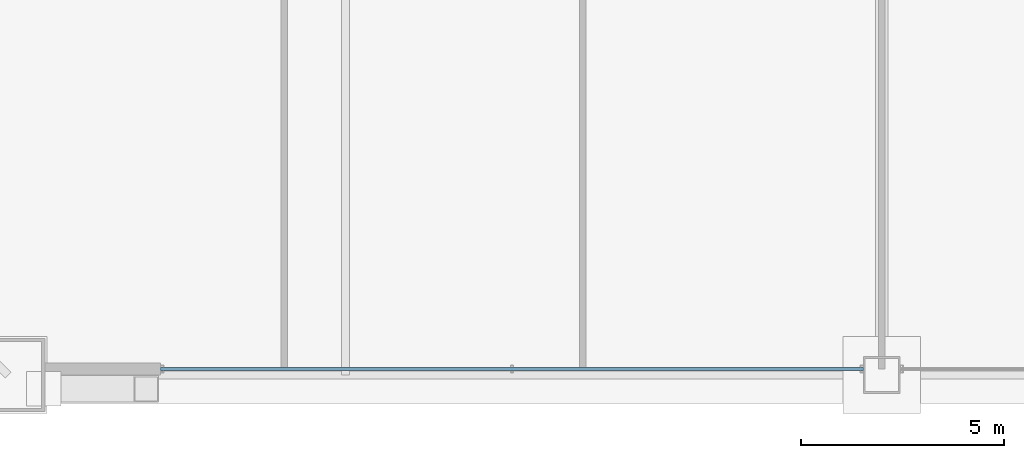
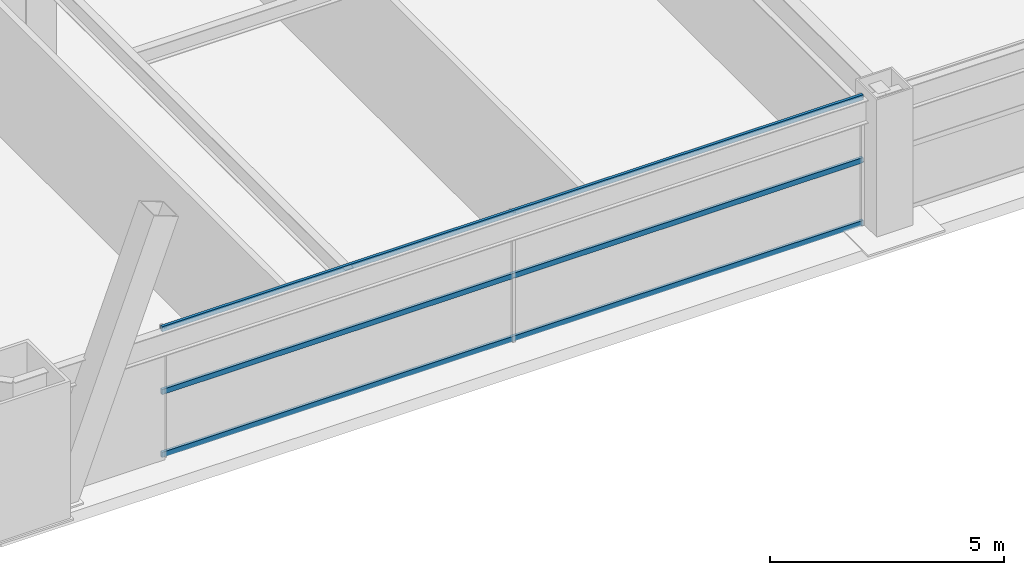
# One storey, part 8 of 45: 3 members, 1 element without a shape of its own.
"""IFC4 building model written with IfcOpenShell, lengths in metres."""

from ifc_helpers import new_model, si_unit, direction, frame, origin, origin_2d, place, context, subcontext, project, spatial, hollow_rectangle, extrude, source, transform, mapped, material, layer, layer_set, material_profile, profile_set, type_object, element, aggregate, save


model = new_model("IFC4")

# Units and contexts
model_context = context("Model", 3, precision=1e-05, world=origin(), true_north=direction((0.0, 1.0)))
body_context = subcontext(model_context, "Body", "Model", "MODEL_VIEW")
ifc_project = project(units=[si_unit("LENGTHUNIT", "METRE"), si_unit("AREAUNIT", "SQUARE_METRE"), si_unit("VOLUMEUNIT", "CUBIC_METRE"), si_unit("PLANEANGLEUNIT", "RADIAN"), si_unit("MASSUNIT", "GRAM", prefix="KILO"), si_unit("THERMODYNAMICTEMPERATUREUNIT", "KELVIN"), si_unit("POWERUNIT", "WATT")], contexts=[model_context])

# Site, building, storey
site_placement = place(None, origin())
site = spatial("IfcSite", under=ifc_project, at=site_placement, CompositionType="ELEMENT")
building_placement = place(site_placement, origin())
building = spatial("IfcBuilding", under=site, at=building_placement, Name="Yuzanri Waterfront Tower", CompositionType="ELEMENT")
storey_placement = place(building_placement, frame((0.0, 0.0, 30.60009765625)))
storey = spatial("IfcBuildingStorey", under=building, at=storey_placement, Name="L07", CompositionType="ELEMENT", Elevation=30.60009765625)

# Curtain wall, members
ifc_material_1 = material(Name="Anodized Architectural Bronze", Category="metal")
ifc_layer = layer(ifc_material_1, 0.159912109375)
ifc_layer_set = layer_set([ifc_layer], Name="Anodized Architectural Bronze")
curtain_wall_type = type_object("IfcCurtainWallType", Name="Anodized Bronze Hotel Lower-Tier Recessed Unitized Curtain Wall 8100", PredefinedType="NOTDEFINED", material=ifc_layer_set)
curtain_wall_placement = place(storey_placement, origin())
curtain_wall = element("IfcCurtainWall", 1, at=curtain_wall_placement, inside=storey, type_object=curtain_wall_type, Name="L07 Curtain Wall CW-L07-SL", PredefinedType="NOTDEFINED")
ifc_material_2 = material(Name="Anodized Architectural Bronze", Category="metal")
ifc_material_profile = material_profile(ifc_material_2, hollow_rectangle(XDim=0.070068359375, YDim=0.135009765625, WallThickness=0.00341796875, at=origin_2d()), Name="CWT 70x135")
ifc_profile_set = profile_set([ifc_material_profile], Name="Anodized Architectural Bronze")
member_type = type_object("IfcMemberType", Name="Anodized Bronze Standard Curtain-Wall Transom 70x135", PredefinedType="USERDEFINED", material=ifc_profile_set)
shared_shape = source(origin(), body_context, "Body", "SweptSolid", [
    extrude(hollow_rectangle(XDim=0.070068359375, YDim=0.135009765625, WallThickness=0.00341796875, at=origin_2d()), origin(), (0.0, 0.0, 1.0), 17.300048828125),
])
member_1_placement = place(storey_placement, frame((19.25, 0.85009765625, 0.0498046875), z_axis=(1.0, 0.0, 0.0), x_axis=(0.0, 1.0, 0.0)))
member_1 = element("IfcMember", 2, at=member_1_placement, type_object=member_type, Name="CW-L07-SL Transom 1", ObjectType="TRANSOM", PredefinedType="USERDEFINED", context=body_context, shape_type="MappedRepresentation", body=[
    mapped(shared_shape, transform((0.0, 0.0, 0.0), scale=1.0)),
])
member_2_placement = place(storey_placement, frame((19.25, 0.85009765625, 1.68994140625), z_axis=(1.0, 0.0, 0.0), x_axis=(0.0, 1.0, 0.0)))
member_2 = element("IfcMember", 3, at=member_2_placement, type_object=member_type, Name="CW-L07-SL Transom 2", ObjectType="TRANSOM", PredefinedType="USERDEFINED", context=body_context, shape_type="MappedRepresentation", body=[
    mapped(shared_shape, transform((0.0, 0.0, 0.0), scale=1.0)),
])
member_3_placement = place(storey_placement, frame((19.25, 0.85009765625, 3.329833984375), z_axis=(1.0, 0.0, 0.0), x_axis=(0.0, 1.0, 0.0)))
member_3 = element("IfcMember", 4, at=member_3_placement, type_object=member_type, Name="CW-L07-SL Transom 3", ObjectType="TRANSOM", PredefinedType="USERDEFINED", context=body_context, shape_type="MappedRepresentation", body=[
    mapped(shared_shape, transform((0.0, 0.0, 0.0), scale=1.0)),
])
aggregate(curtain_wall, [member_1, member_2, member_3])

save(model, "model.ifc")
